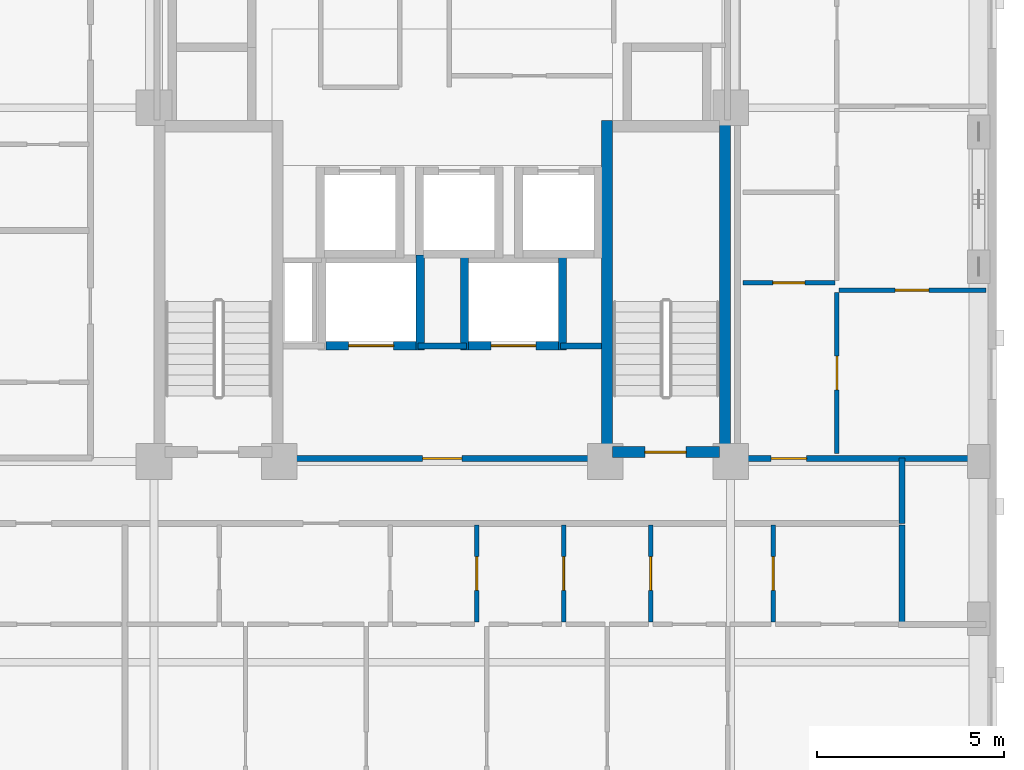
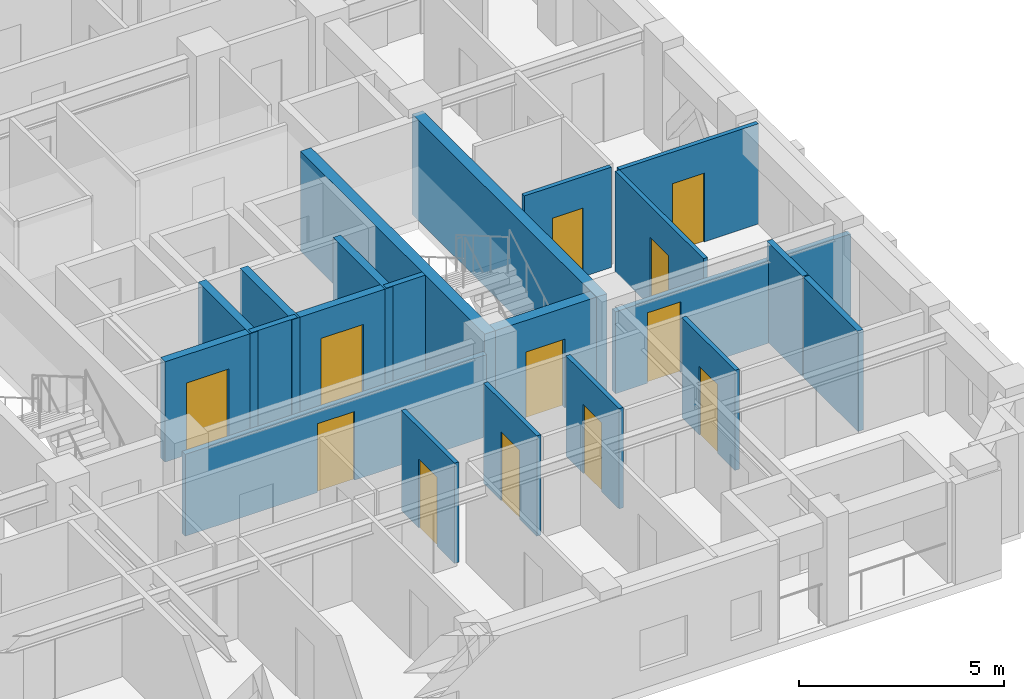
# One storey, part 4 of 11: 21 walls, 12 doors, 12 openings.
"""IFC4 building model written with IfcOpenShell, lengths in metres."""

from ifc_helpers import new_model, si_unit, derived_unit, direction, frame, frame_2d, origin, place, context, subcontext, project, spatial, rectangle, extrude, material, layer, layer_set, type_object, element, fill, save


model = new_model("IFC4")

# Units and contexts
model_context = context("Model", 3, precision=1e-05, world=origin(), true_north=direction((0.0, 1.0)))
body_context = subcontext(model_context, "Body", "Model", "MODEL_VIEW")
ifc_project = project(units=[si_unit("LENGTHUNIT", "METRE"), si_unit("AREAUNIT", "SQUARE_METRE"), si_unit("VOLUMEUNIT", "CUBIC_METRE"), si_unit("PLANEANGLEUNIT", "RADIAN"), si_unit("MASSUNIT", "GRAM", prefix="KILO"), derived_unit("THERMALTRANSMITTANCEUNIT", [(si_unit("MASSUNIT", "GRAM", prefix="KILO"), 1), (si_unit("TIMEUNIT", "SECOND"), -3), (si_unit("THERMODYNAMICTEMPERATUREUNIT", "KELVIN"), -1)])], contexts=[model_context])

# Site, building, storey
site_placement = place(None, origin())
site = spatial("IfcSite", under=ifc_project, at=site_placement, CompositionType="ELEMENT")
building_placement = place(site_placement, origin())
building = spatial("IfcBuilding", under=site, at=building_placement, Name="Korrvale Station Residences", CompositionType="ELEMENT")
storey_placement = place(building_placement, frame((0.0, 0.0, 147.14990234375)))
storey = spatial("IfcBuildingStorey", under=building, at=storey_placement, Name="L42", CompositionType="ELEMENT", Elevation=147.14990234375)

# Walls
ifc_material_1 = material(Name="Concrete C60/75", Category="concrete")
ifc_layer_1 = layer(ifc_material_1, 0.300048828125, Name="Concrete C60/75")
ifc_layer_set_1 = layer_set([ifc_layer_1], Name="Concrete C60/75")
wall_type_1 = type_object("IfcWallType", Name="WAL-CORE-300-C60", PredefinedType="SHEAR", material=ifc_layer_set_1)
for number, where, z_axis, x_axis, name in (
    (1, (29.89990234375, 15.10009765625, 0.0), (0.0, 0.0, 1.0), (0.0, 1.0, 0.0), "L42 ST-2 Core Shear Wall West"),
    (2, (33.050048828125, 15.10009765625, 0.0), (0.0, 0.0, 1.0), (0.0, 1.0, 0.0), "L42 ST-2 Core Shear Wall East"),
):
    element("IfcWall", number, at=place(storey_placement, frame(where, z_axis=z_axis, x_axis=x_axis)), inside=storey, type_object=wall_type_1, Name=name, PredefinedType="SHEAR", context=body_context, shape_type="SweptSolid", body=[
        extrude(rectangle(XDim=9.0, YDim=0.300048828125, at=frame_2d((4.5, 0.0))), origin(), (0.0, 0.0, 1.0), 2.989990234375),
    ])

# Wall, opening, door
wall_1_placement = place(storey_placement, frame((30.050048828125, 15.25, 0.0), z_axis=(0.0, 0.0, 1.0), x_axis=(1.0, 0.0, 0.0)))
wall_1 = element("IfcWall", 3, at=wall_1_placement, inside=storey, type_object=wall_type_1, Name="L42 ST-2 Core Shear Wall South", PredefinedType="SHEAR", context=body_context, shape_type="SweptSolid", body=[
    extrude(rectangle(XDim=2.849853515625, YDim=0.300048828125, at=frame_2d((1.4248046875, 0.0))), origin(), (0.0, 0.0, 1.0), 2.989990234375),
])
opening_1_placement = place(wall_1_placement, frame((0.860107421875, 0.0, 0.0)))
opening_1 = element("IfcOpeningElement", 4, at=opening_1_placement, cuts=wall_1, Name="Opening SD-1100", PredefinedType="OPENING", context=body_context, shape_type="SweptSolid", body=[
    extrude(rectangle(XDim=1.10009765625, YDim=2.050048828125, at=frame_2d((0.550048828125, 1.02490234375))), frame((0.0, 0.16015625, 0.0), z_axis=(0.0, -1.0, 0.0), x_axis=(1.0, 0.0, 0.0)), (0.0, 0.0, 1.0), 0.320068359375),
])
ifc_material_2 = material(Name="Hollow-metal fire-rated stair door with closer", Category="steel")
door_type_1 = type_object("IfcDoorType", Name="DR-STAIR-1100", OperationType="NOTDEFINED", PredefinedType="DOOR", material=ifc_material_2)
door_1_placement = place(opening_1_placement, origin())
door_1 = element("IfcDoor", 5, at=door_1_placement, inside=storey, type_object=door_type_1, Name="L42 ST-2 Exit Stair Door", OperationType="SINGLE_SWING_RIGHT", OverallHeight=2.050048828125, OverallWidth=1.10009765625, PredefinedType="DOOR", context=body_context, shape_type="SweptSolid", body=[
    extrude(rectangle(XDim=1.10009765625, YDim=2.050048828125, at=frame_2d((0.550048828125, 1.02490234375))), frame((0.0, 0.02490234375, 0.0), z_axis=(0.0, -1.0, 0.0), x_axis=(1.0, 0.0, 0.0)), (0.0, 0.0, 1.0), 0.050048828125),
])
fill(opening_1, door_1)

ifc_material_3 = material(Name="Acoustic steel-stud gypsum board partition", Category="steel")
ifc_layer_2 = layer(ifc_material_3, 0.1201171875, Name="Acoustic steel-stud gypsum board partition")
ifc_layer_set_2 = layer_set([ifc_layer_2], Name="Acoustic steel-stud gypsum board partition")
wall_type_2 = type_object("IfcWallType", Name="WAL-PART-125", PredefinedType="PARTITIONING", material=ifc_layer_set_2)
wall_2_placement = place(storey_placement, frame((26.424072265625, 10.7099609375, 0.0), z_axis=(0.0, 0.0, 1.0), x_axis=(0.0, 1.0, 0.0)))
wall_2 = element("IfcWall", 6, at=wall_2_placement, inside=storey, type_object=wall_type_2, Name="L42 Suite Partition U02-V23", PredefinedType="PARTITIONING", context=body_context, shape_type="SweptSolid", body=[
    extrude(rectangle(XDim=2.60009765625, YDim=0.1201171875, at=frame_2d((1.300048828125, 0.0))), origin(), (0.0, 0.0, 1.0), 2.989990234375),
])
opening_2_placement = place(wall_2_placement, frame((0.85009765625, 0.0, 0.0)))
opening_2 = element("IfcOpeningElement", 7, at=opening_2_placement, cuts=wall_2, Name="Opening DI-900", PredefinedType="OPENING", context=body_context, shape_type="SweptSolid", body=[
    extrude(rectangle(XDim=0.89990234375, YDim=2.050048828125, at=frame_2d((0.449951171875, 1.02490234375))), frame((0.0, 0.070068359375, 0.0), z_axis=(0.0, -1.0, 0.0), x_axis=(1.0, 0.0, 0.0)), (0.0, 0.0, 1.0), 0.14013671875),
])
ifc_material_4 = material(Name="Painted solid-core timber interior room door", Category="wood")
door_type_2 = type_object("IfcDoorType", Name="DR-INT-900", OperationType="NOTDEFINED", PredefinedType="DOOR", material=ifc_material_4)
door_2_placement = place(opening_2_placement, origin())
door_2 = element("IfcDoor", 8, at=door_2_placement, inside=storey, type_object=door_type_2, Name="L42 Studio Apartment L42-U02 Wardrobe Storage Room Door", OperationType="SINGLE_SWING_LEFT", OverallHeight=2.050048828125, OverallWidth=0.89990234375, PredefinedType="DOOR", context=body_context, shape_type="SweptSolid", body=[
    extrude(rectangle(XDim=0.89990234375, YDim=2.050048828125, at=frame_2d((0.449951171875, 1.02490234375))), frame((0.0, 0.02490234375, 0.0), z_axis=(0.0, -1.0, 0.0), x_axis=(1.0, 0.0, 0.0)), (0.0, 0.0, 1.0), 0.050048828125),
])
fill(opening_2, door_2)

wall_3_placement = place(storey_placement, frame((28.743896484375, 10.7099609375, 0.0), z_axis=(0.0, 0.0, 1.0), x_axis=(0.0, 1.0, 0.0)))
wall_3 = element("IfcWall", 9, at=wall_3_placement, inside=storey, type_object=wall_type_2, Name="L42 Suite Partition U02-V34", PredefinedType="PARTITIONING", context=body_context, shape_type="SweptSolid", body=[
    extrude(rectangle(XDim=2.60009765625, YDim=0.1201171875, at=frame_2d((1.300048828125, 0.0))), origin(), (0.0, 0.0, 1.0), 2.989990234375),
])
opening_3_placement = place(wall_3_placement, frame((0.85009765625, 0.0, 0.0)))
opening_3 = element("IfcOpeningElement", 10, at=opening_3_placement, cuts=wall_3, Name="Opening DI-900", PredefinedType="OPENING", context=body_context, shape_type="SweptSolid", body=[
    extrude(rectangle(XDim=0.89990234375, YDim=2.050048828125, at=frame_2d((0.449951171875, 1.02490234375))), frame((0.0, 0.070068359375, 0.0), z_axis=(0.0, -1.0, 0.0), x_axis=(1.0, 0.0, 0.0)), (0.0, 0.0, 1.0), 0.14013671875),
])
door_3_placement = place(opening_3_placement, origin())
door_3 = element("IfcDoor", 11, at=door_3_placement, inside=storey, type_object=door_type_2, Name="L42 Studio Apartment L42-U02 Wardrobe Storage Room Door", OperationType="SINGLE_SWING_LEFT", OverallHeight=2.050048828125, OverallWidth=0.89990234375, PredefinedType="DOOR", context=body_context, shape_type="SweptSolid", body=[
    extrude(rectangle(XDim=0.89990234375, YDim=2.050048828125, at=frame_2d((0.449951171875, 1.02490234375))), frame((0.0, 0.02490234375, 0.0), z_axis=(0.0, -1.0, 0.0), x_axis=(1.0, 0.0, 0.0)), (0.0, 0.0, 1.0), 0.050048828125),
])
fill(opening_3, door_3)

wall_4_placement = place(storey_placement, frame((31.06396484375, 10.7099609375, 0.0), z_axis=(0.0, 0.0, 1.0), x_axis=(0.0, 1.0, 0.0)))
wall_4 = element("IfcWall", 12, at=wall_4_placement, inside=storey, type_object=wall_type_2, Name="L42 Suite Partition U02-V45", PredefinedType="PARTITIONING", context=body_context, shape_type="SweptSolid", body=[
    extrude(rectangle(XDim=2.60009765625, YDim=0.1201171875, at=frame_2d((1.300048828125, 0.0))), origin(), (0.0, 0.0, 1.0), 2.989990234375),
])
opening_4_placement = place(wall_4_placement, frame((0.85009765625, 0.0, 0.0)))
opening_4 = element("IfcOpeningElement", 13, at=opening_4_placement, cuts=wall_4, Name="Opening DI-900", PredefinedType="OPENING", context=body_context, shape_type="SweptSolid", body=[
    extrude(rectangle(XDim=0.89990234375, YDim=2.050048828125, at=frame_2d((0.449951171875, 1.02490234375))), frame((0.0, 0.070068359375, 0.0), z_axis=(0.0, -1.0, 0.0), x_axis=(1.0, 0.0, 0.0)), (0.0, 0.0, 1.0), 0.14013671875),
])
door_4_placement = place(opening_4_placement, origin())
door_4 = element("IfcDoor", 14, at=door_4_placement, inside=storey, type_object=door_type_2, Name="L42 Studio Apartment L42-U02 Wardrobe Storage Room Door", OperationType="SINGLE_SWING_LEFT", OverallHeight=2.050048828125, OverallWidth=0.89990234375, PredefinedType="DOOR", context=body_context, shape_type="SweptSolid", body=[
    extrude(rectangle(XDim=0.89990234375, YDim=2.050048828125, at=frame_2d((0.449951171875, 1.02490234375))), frame((0.0, 0.02490234375, 0.0), z_axis=(0.0, -1.0, 0.0), x_axis=(1.0, 0.0, 0.0)), (0.0, 0.0, 1.0), 0.050048828125),
])
fill(opening_4, door_4)

wall_5_placement = place(storey_placement, frame((34.333984375, 10.7099609375, 0.0), z_axis=(0.0, 0.0, 1.0), x_axis=(0.0, 1.0, 0.0)))
wall_5 = element("IfcWall", 15, at=wall_5_placement, inside=storey, type_object=wall_type_2, Name="L42 Suite Partition U02-V56", PredefinedType="PARTITIONING", context=body_context, shape_type="SweptSolid", body=[
    extrude(rectangle(XDim=2.60009765625, YDim=0.1201171875, at=frame_2d((1.300048828125, 0.0))), origin(), (0.0, 0.0, 1.0), 2.989990234375),
])
opening_5_placement = place(wall_5_placement, frame((0.85009765625, 0.0, 0.0)))
opening_5 = element("IfcOpeningElement", 16, at=opening_5_placement, cuts=wall_5, Name="Opening DI-900", PredefinedType="OPENING", context=body_context, shape_type="SweptSolid", body=[
    extrude(rectangle(XDim=0.89990234375, YDim=2.050048828125, at=frame_2d((0.449951171875, 1.02490234375))), frame((0.0, 0.070068359375, 0.0), z_axis=(0.0, -1.0, 0.0), x_axis=(1.0, 0.0, 0.0)), (0.0, 0.0, 1.0), 0.14013671875),
])
door_5_placement = place(opening_5_placement, origin())
door_5 = element("IfcDoor", 17, at=door_5_placement, inside=storey, type_object=door_type_2, Name="L42 Studio Apartment L42-U02 Utility and Laundry Room Door", OperationType="SINGLE_SWING_RIGHT", OverallHeight=2.050048828125, OverallWidth=0.89990234375, PredefinedType="DOOR", context=body_context, shape_type="SweptSolid", body=[
    extrude(rectangle(XDim=0.89990234375, YDim=2.050048828125, at=frame_2d((0.449951171875, 1.02490234375))), frame((0.0, 0.02490234375, 0.0), z_axis=(0.0, -1.0, 0.0), x_axis=(1.0, 0.0, 0.0)), (0.0, 0.0, 1.0), 0.050048828125),
])
fill(opening_5, door_5)

wall_6_placement = place(storey_placement, frame((33.530029296875, 19.77001953125, 0.0), z_axis=(0.0, 0.0, 1.0), x_axis=(1.0, 0.0, 0.0)))
wall_6 = element("IfcWall", 18, at=wall_6_placement, inside=storey, type_object=wall_type_2, Name="L42 Suite Partition U09-H12", PredefinedType="PARTITIONING", context=body_context, shape_type="SweptSolid", body=[
    extrude(rectangle(XDim=2.449951171875, YDim=0.1201171875, at=frame_2d((1.22509765625, 0.0))), origin(), (0.0, 0.0, 1.0), 2.989990234375),
])
opening_6_placement = place(wall_6_placement, frame((0.794921875, 0.0, 0.0)))
opening_6 = element("IfcOpeningElement", 19, at=opening_6_placement, cuts=wall_6, Name="Opening DB-860", PredefinedType="OPENING", context=body_context, shape_type="SweptSolid", body=[
    extrude(rectangle(XDim=0.860107421875, YDim=2.050048828125, at=frame_2d((0.43017578125, 1.02490234375))), frame((0.0, 0.070068359375, 0.0), z_axis=(0.0, -1.0, 0.0), x_axis=(1.0, 0.0, 0.0)), (0.0, 0.0, 1.0), 0.14013671875),
])
ifc_material_5 = material(Name="Moisture-resistant solid-core bathroom door", Category="timber")
door_type_3 = type_object("IfcDoorType", Name="DR-BATH-860", OperationType="NOTDEFINED", PredefinedType="DOOR", material=ifc_material_5)
door_6_placement = place(opening_6_placement, origin())
door_6 = element("IfcDoor", 20, at=door_6_placement, inside=storey, type_object=door_type_3, Name="L42 Apartment 2BR L42-U09 Bathroom Door", OperationType="SINGLE_SWING_LEFT", OverallHeight=2.050048828125, OverallWidth=0.860107421875, PredefinedType="DOOR", context=body_context, shape_type="SweptSolid", body=[
    extrude(rectangle(XDim=0.860107421875, YDim=2.050048828125, at=frame_2d((0.43017578125, 1.02490234375))), frame((0.0, 0.02490234375, 0.0), z_axis=(0.0, -1.0, 0.0), x_axis=(1.0, 0.0, 0.0)), (0.0, 0.0, 1.0), 0.050048828125),
])
fill(opening_6, door_6)

wall_7_placement = place(storey_placement, frame((36.0400390625, 15.2099609375, 0.0), z_axis=(0.0, 0.0, 1.0), x_axis=(0.0, 1.0, 0.0)))
wall_7 = element("IfcWall", 21, at=wall_7_placement, inside=storey, type_object=wall_type_2, Name="L42 Suite Partition U09-V23", PredefinedType="PARTITIONING", context=body_context, shape_type="SweptSolid", body=[
    extrude(rectangle(XDim=4.30810546875, YDim=0.1201171875, at=frame_2d((2.154052734375, 0.0))), origin(), (0.0, 0.0, 1.0), 2.989990234375),
])
opening_7_placement = place(wall_7_placement, frame((1.7041015625, 0.0, 0.0)))
opening_7 = element("IfcOpeningElement", 22, at=opening_7_placement, cuts=wall_7, Name="Opening DI-900", PredefinedType="OPENING", context=body_context, shape_type="SweptSolid", body=[
    extrude(rectangle(XDim=0.89990234375, YDim=2.050048828125, at=frame_2d((0.449951171875, 1.02490234375))), frame((0.0, 0.070068359375, 0.0), z_axis=(0.0, -1.0, 0.0), x_axis=(1.0, 0.0, 0.0)), (0.0, 0.0, 1.0), 0.14013671875),
])
door_7_placement = place(opening_7_placement, origin())
door_7 = element("IfcDoor", 23, at=door_7_placement, inside=storey, type_object=door_type_2, Name="L42 Apartment 2BR L42-U09 Kitchen Door", OperationType="SINGLE_SWING_RIGHT", OverallHeight=2.050048828125, OverallWidth=0.89990234375, PredefinedType="DOOR", context=body_context, shape_type="SweptSolid", body=[
    extrude(rectangle(XDim=0.89990234375, YDim=2.050048828125, at=frame_2d((0.449951171875, 1.02490234375))), frame((0.0, 0.02490234375, 0.0), z_axis=(0.0, -1.0, 0.0), x_axis=(1.0, 0.0, 0.0)), (0.0, 0.0, 1.0), 0.050048828125),
])
fill(opening_7, door_7)

wall_8_placement = place(storey_placement, frame((36.10009765625, 19.577880859375, 0.0), z_axis=(0.0, 0.0, 1.0), x_axis=(1.0, 0.0, 0.0)))
wall_8 = element("IfcWall", 24, at=wall_8_placement, inside=storey, type_object=wall_type_2, Name="L42 Suite Partition U09-H34", PredefinedType="PARTITIONING", context=body_context, shape_type="SweptSolid", body=[
    extrude(rectangle(XDim=3.919921875, YDim=0.1201171875, at=frame_2d((1.9599609375, 0.0))), origin(), (0.0, 0.0, 1.0), 2.989990234375),
])
opening_8_placement = place(wall_8_placement, frame((1.4951171875, 0.0, 0.0)))
opening_8 = element("IfcOpeningElement", 25, at=opening_8_placement, cuts=wall_8, Name="Opening DI-900", PredefinedType="OPENING", context=body_context, shape_type="SweptSolid", body=[
    extrude(rectangle(XDim=0.89990234375, YDim=2.050048828125, at=frame_2d((0.449951171875, 1.02490234375))), frame((0.0, 0.070068359375, 0.0), z_axis=(0.0, -1.0, 0.0), x_axis=(1.0, 0.0, 0.0)), (0.0, 0.0, 1.0), 0.14013671875),
])
door_8_placement = place(opening_8_placement, origin())
door_8 = element("IfcDoor", 26, at=door_8_placement, inside=storey, type_object=door_type_2, Name="L42 Apartment 2BR L42-U09 Bedroom 1 Door", OperationType="SINGLE_SWING_LEFT", OverallHeight=2.050048828125, OverallWidth=0.89990234375, PredefinedType="DOOR", context=body_context, shape_type="SweptSolid", body=[
    extrude(rectangle(XDim=0.89990234375, YDim=2.050048828125, at=frame_2d((0.449951171875, 1.02490234375))), frame((0.0, 0.02490234375, 0.0), z_axis=(0.0, -1.0, 0.0), x_axis=(1.0, 0.0, 0.0)), (0.0, 0.0, 1.0), 0.050048828125),
])
fill(opening_8, door_8)

ifc_material_6 = material(Name="Fire-rated twin-stud gypsum and mineral wool shaftwall assembly", Category="gypsum")
ifc_layer_3 = layer(ifc_material_6, 0.159912109375, Name="Fire-rated twin-stud gypsum and mineral wool shaftwall assembly")
ifc_layer_set_3 = layer_set([ifc_layer_3], Name="Fire-rated twin-stud gypsum and mineral wool shaftwall assembly")
wall_type_3 = type_object("IfcWallType", Name="WAL-PART-200", PredefinedType="PARTITIONING", material=ifc_layer_set_3)
wall_9_placement = place(storey_placement, frame((21.25, 15.080078125, 0.0), z_axis=(0.0, 0.0, 1.0), x_axis=(1.0, 0.0, 0.0)))
wall_9 = element("IfcWall", 27, at=wall_9_placement, inside=storey, type_object=wall_type_3, Name="L42 Core Partition CW-FFL-S", PredefinedType="PARTITIONING", context=body_context, shape_type="SweptSolid", body=[
    extrude(rectangle(XDim=8.5, YDim=0.159912109375, at=frame_2d((4.25, 0.0))), origin(), (0.0, 0.0, 1.0), 2.442138671875),
])
opening_9_placement = place(wall_9_placement, frame((3.72509765625, 0.0, 0.0)))
opening_9 = element("IfcOpeningElement", 28, at=opening_9_placement, cuts=wall_9, Name="Opening FD-1050", PredefinedType="OPENING", context=body_context, shape_type="SweptSolid", body=[
    extrude(rectangle(XDim=1.050048828125, YDim=2.050048828125, at=frame_2d((0.52490234375, 1.02490234375))), frame((0.0, 0.08984375, 0.0), z_axis=(0.0, -1.0, 0.0), x_axis=(1.0, 0.0, 0.0)), (0.0, 0.0, 1.0), 0.179931640625),
])
ifc_material_7 = material(Name="Fire-rated mineral-core timber lobby door", Category="wood")
door_type_4 = type_object("IfcDoorType", Name="DR-CORE-1050", OperationType="NOTDEFINED", PredefinedType="DOOR", material=ifc_material_7)
door_9_placement = place(opening_9_placement, origin())
door_9 = element("IfcDoor", 29, at=door_9_placement, inside=storey, type_object=door_type_4, Name="L42 Firefighting Lobby Entry Door", OperationType="SINGLE_SWING_RIGHT", OverallHeight=2.050048828125, OverallWidth=1.050048828125, PredefinedType="DOOR", context=body_context, shape_type="SweptSolid", body=[
    extrude(rectangle(XDim=1.050048828125, YDim=2.050048828125, at=frame_2d((0.52490234375, 1.02490234375))), frame((0.0, 0.02490234375, 0.0), z_axis=(0.0, -1.0, 0.0), x_axis=(1.0, 0.0, 0.0)), (0.0, 0.0, 1.0), 0.050048828125),
])
fill(opening_9, door_9)

# Walls
wall_10_placement = place(storey_placement, frame((24.85009765625, 18.080078125, 0.0), z_axis=(0.0, 0.0, 1.0), x_axis=(1.0, 0.0, 0.0)))
element("IfcWall", 30, at=wall_10_placement, inside=storey, type_object=wall_type_3, Name="L42 Core Partition CW-FFL-N2", PredefinedType="PARTITIONING", context=body_context, shape_type="SweptSolid", body=[
    extrude(rectangle(XDim=1.2998046875, YDim=0.159912109375, at=frame_2d((0.64990234375, 0.0))), origin(), (0.0, 0.0, 1.0), 2.989990234375),
])
wall_11_placement = place(storey_placement, frame((28.64990234375, 18.080078125, 0.0), z_axis=(0.0, 0.0, 1.0), x_axis=(1.0, 0.0, 0.0)))
element("IfcWall", 31, at=wall_11_placement, inside=storey, type_object=wall_type_3, Name="L42 Core Partition CW-FFL-N3", PredefinedType="PARTITIONING", context=body_context, shape_type="SweptSolid", body=[
    extrude(rectangle(XDim=1.10009765625, YDim=0.159912109375, at=frame_2d((0.550048828125, 0.0))), origin(), (0.0, 0.0, 1.0), 2.989990234375),
])
wall_12_placement = place(storey_placement, frame((37.780029296875, 13.35009765625, 0.0), z_axis=(0.0, 0.0, 1.0), x_axis=(0.0, 1.0, 0.0)))
element("IfcWall", 32, at=wall_12_placement, inside=storey, type_object=wall_type_3, Name="L42 Corridor South East Cap", PredefinedType="PARTITIONING", context=body_context, shape_type="SweptSolid", body=[
    extrude(rectangle(XDim=1.739990234375, YDim=0.159912109375, at=frame_2d((0.8701171875, 0.0))), origin(), (0.0, 0.0, 1.0), 2.989990234375),
])
wall_13_placement = place(storey_placement, frame((37.780029296875, 10.64990234375, 0.0), z_axis=(0.0, 0.0, 1.0), x_axis=(0.0, 1.0, 0.0)))
element("IfcWall", 33, at=wall_13_placement, inside=storey, type_object=wall_type_3, Name="L42 Corner Step Cheek U02-R", PredefinedType="PARTITIONING", context=body_context, shape_type="SweptSolid", body=[
    extrude(rectangle(XDim=2.66015625, YDim=0.159912109375, at=frame_2d((1.330078125, 0.0))), origin(), (0.0, 0.0, 1.0), 2.989990234375),
])

# Wall, opening, door
wall_14_placement = place(storey_placement, frame((33.3798828125, 15.080078125, 0.0), z_axis=(0.0, 0.0, 1.0), x_axis=(1.0, 0.0, 0.0)))
wall_14 = element("IfcWall", 34, at=wall_14_placement, inside=storey, type_object=wall_type_3, Name="L42 Side Suite South Entry Wall U09", PredefinedType="PARTITIONING", context=body_context, shape_type="SweptSolid", body=[
    extrude(rectangle(XDim=6.64013671875, YDim=0.159912109375, at=frame_2d((3.320068359375, 0.0))), origin(), (0.0, 0.0, 1.0), 2.442138671875),
])
opening_10_placement = place(wall_14_placement, frame((0.89990234375, 0.0, 0.0)))
opening_10 = element("IfcOpeningElement", 35, at=opening_10_placement, cuts=wall_14, Name="Opening UD-950", PredefinedType="OPENING", context=body_context, shape_type="SweptSolid", body=[
    extrude(rectangle(XDim=0.949951171875, YDim=2.10009765625, at=frame_2d((0.47509765625, 1.050048828125))), frame((0.0, 0.08984375, 0.0), z_axis=(0.0, -1.0, 0.0), x_axis=(1.0, 0.0, 0.0)), (0.0, 0.0, 1.0), 0.179931640625),
])
ifc_material_8 = material(Name="Solid-core acoustic oak apartment entrance door", Category="timber")
door_type_5 = type_object("IfcDoorType", Name="DR-UNIT-950", OperationType="NOTDEFINED", PredefinedType="DOOR", material=ifc_material_8)
door_10_placement = place(opening_10_placement, origin())
door_10 = element("IfcDoor", 36, at=door_10_placement, inside=storey, type_object=door_type_5, Name="L42 Apartment L42-U09 Entrance Door", OperationType="SINGLE_SWING_RIGHT", OverallHeight=2.10009765625, OverallWidth=0.949951171875, PredefinedType="DOOR", context=body_context, shape_type="SweptSolid", body=[
    extrude(rectangle(XDim=0.949951171875, YDim=2.10009765625, at=frame_2d((0.47509765625, 1.050048828125))), frame((0.0, 0.02490234375, 0.0), z_axis=(0.0, -1.0, 0.0), x_axis=(1.0, 0.0, 0.0)), (0.0, 0.0, 1.0), 0.050048828125),
])
fill(opening_10, door_10)

ifc_layer_4 = layer(ifc_material_1, 0.219970703125, Name="Concrete C60/75")
ifc_layer_set_4 = layer_set([ifc_layer_4], Name="Concrete C60/75")
wall_type_4 = type_object("IfcWallType", Name="WAL-SHAFT-220-C60", PredefinedType="SHEAR", material=ifc_layer_set_4)
wall_15_placement = place(storey_placement, frame((22.39990234375, 18.090087890625, 0.0), z_axis=(0.0, 0.0, 1.0), x_axis=(1.0, 0.0, 0.0)))
wall_15 = element("IfcWall", 37, at=wall_15_placement, inside=storey, type_object=wall_type_4, Name="L42 Elevator FFL-1 Hoistway Wall South", PredefinedType="SHEAR", context=body_context, shape_type="SweptSolid", body=[
    extrude(rectangle(XDim=2.400146484375, YDim=0.219970703125, at=frame_2d((1.2001953125, 0.0))), origin(), (0.0, 0.0, 1.0), 2.989990234375),
])
opening_11_placement = place(wall_15_placement, frame((0.60009765625, 0.0, 0.0)))
opening_11 = element("IfcOpeningElement", 38, at=opening_11_placement, cuts=wall_15, Name="Opening LD-FF1200", PredefinedType="OPENING", context=body_context, shape_type="SweptSolid", body=[
    extrude(rectangle(XDim=1.199951171875, YDim=2.14990234375, at=frame_2d((0.60009765625, 1.074951171875))), frame((0.0, 0.1201171875, 0.0), z_axis=(0.0, -1.0, 0.0), x_axis=(1.0, 0.0, 0.0)), (0.0, 0.0, 1.0), 0.239990234375),
])
ifc_material_9 = material(Name="Stainless-steel firefighter elevator landing sliding door", Category="steel")
door_type_6 = type_object("IfcDoorType", Name="DR-LIFT-FF1200", OperationType="SLIDING_TO_LEFT", PredefinedType="DOOR", material=ifc_material_9)
door_11_placement = place(opening_11_placement, origin())
door_11 = element("IfcDoor", 39, at=door_11_placement, inside=storey, type_object=door_type_6, Name="L42 Elevator FFL-1 Sliding Landing Door", OperationType="SLIDING_TO_LEFT", OverallHeight=2.14990234375, OverallWidth=1.199951171875, PredefinedType="DOOR", context=body_context, shape_type="SweptSolid", body=[
    extrude(rectangle(XDim=1.199951171875, YDim=2.14990234375, at=frame_2d((0.60009765625, 1.074951171875))), frame((0.0, 0.02490234375, 0.0), z_axis=(0.0, -1.0, 0.0), x_axis=(1.0, 0.0, 0.0)), (0.0, 0.0, 1.0), 0.050048828125),
])
fill(opening_11, door_11)

# Wall
wall_16_placement = place(storey_placement, frame((24.909912109375, 17.97998046875, 0.0), z_axis=(0.0, 0.0, 1.0), x_axis=(0.0, 1.0, 0.0)))
element("IfcWall", 40, at=wall_16_placement, inside=storey, type_object=wall_type_4, Name="L42 Elevator FFL-1 Hoistway Wall East", PredefinedType="SHEAR", context=body_context, shape_type="SweptSolid", body=[
    extrude(rectangle(XDim=2.5400390625, YDim=0.219970703125, at=frame_2d((1.27001953125, 0.0))), origin(), (0.0, 0.0, 1.0), 2.989990234375),
])

# Wall, opening, door
wall_17_placement = place(storey_placement, frame((26.199951171875, 18.090087890625, 0.0), z_axis=(0.0, 0.0, 1.0), x_axis=(1.0, 0.0, 0.0)))
wall_17 = element("IfcWall", 41, at=wall_17_placement, inside=storey, type_object=wall_type_4, Name="L42 Elevator FFL-2 Hoistway Wall South", PredefinedType="SHEAR", context=body_context, shape_type="SweptSolid", body=[
    extrude(rectangle(XDim=2.400146484375, YDim=0.219970703125, at=frame_2d((1.2001953125, 0.0))), origin(), (0.0, 0.0, 1.0), 2.989990234375),
])
opening_12_placement = place(wall_17_placement, frame((0.60009765625, 0.0, 0.0)))
opening_12 = element("IfcOpeningElement", 42, at=opening_12_placement, cuts=wall_17, Name="Opening LD-FF1200", PredefinedType="OPENING", context=body_context, shape_type="SweptSolid", body=[
    extrude(rectangle(XDim=1.199951171875, YDim=2.14990234375, at=frame_2d((0.60009765625, 1.074951171875))), frame((0.0, 0.1201171875, 0.0), z_axis=(0.0, -1.0, 0.0), x_axis=(1.0, 0.0, 0.0)), (0.0, 0.0, 1.0), 0.239990234375),
])
door_12_placement = place(opening_12_placement, origin())
door_12 = element("IfcDoor", 43, at=door_12_placement, inside=storey, type_object=door_type_6, Name="L42 Elevator FFL-2 Sliding Landing Door", OperationType="SLIDING_TO_LEFT", OverallHeight=2.14990234375, OverallWidth=1.199951171875, PredefinedType="DOOR", context=body_context, shape_type="SweptSolid", body=[
    extrude(rectangle(XDim=1.199951171875, YDim=2.14990234375, at=frame_2d((0.60009765625, 1.074951171875))), frame((0.0, 0.02490234375, 0.0), z_axis=(0.0, -1.0, 0.0), x_axis=(1.0, 0.0, 0.0)), (0.0, 0.0, 1.0), 0.050048828125),
])
fill(opening_12, door_12)

# Walls
for number, where, z_axis, x_axis, name in (
    (44, (26.090087890625, 17.97998046875, 0.0), (0.0, 0.0, 1.0), (0.0, 1.0, 0.0), "L42 Elevator FFL-2 Hoistway Wall West"),
    (45, (28.7099609375, 17.97998046875, 0.0), (0.0, 0.0, 1.0), (0.0, 1.0, 0.0), "L42 Elevator FFL-2 Hoistway Wall East"),
):
    element("IfcWall", number, at=place(storey_placement, frame(where, z_axis=z_axis, x_axis=x_axis)), inside=storey, type_object=wall_type_4, Name=name, PredefinedType="SHEAR", context=body_context, shape_type="SweptSolid", body=[
        extrude(rectangle(XDim=2.5400390625, YDim=0.219970703125, at=frame_2d((1.27001953125, 0.0))), origin(), (0.0, 0.0, 1.0), 2.989990234375),
    ])

save(model, "model.ifc")
